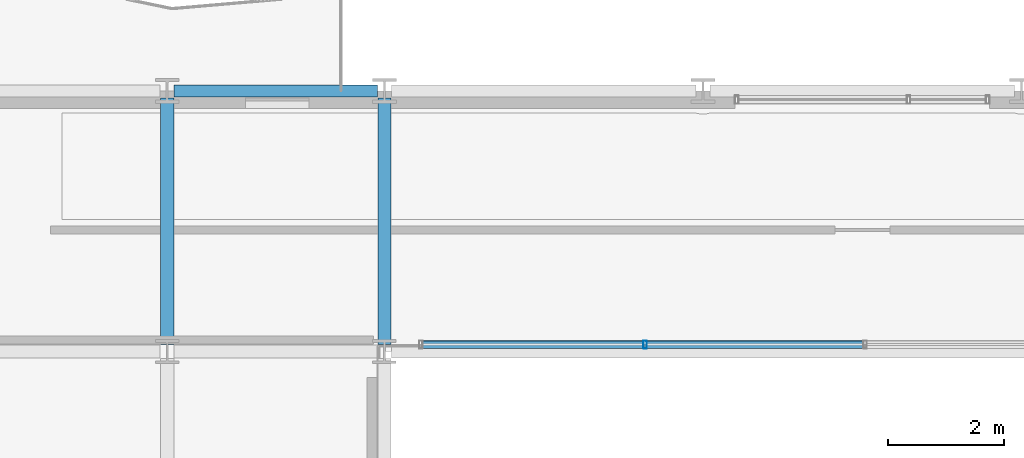
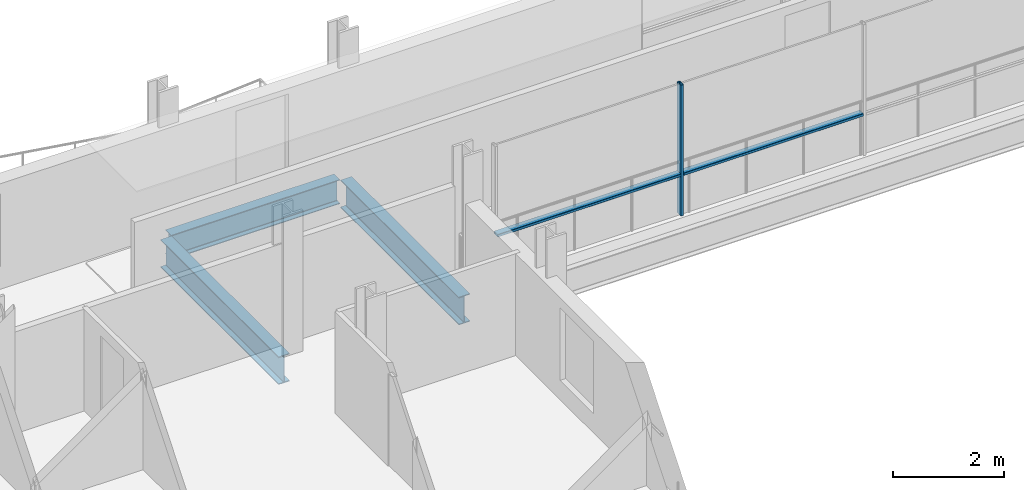
# One storey, part 9 of 39: 3 beams, 3 members, 1 element without a shape of its own.
"""IFC4 building model written with IfcOpenShell, lengths in metres."""

from ifc_helpers import new_model, si_unit, direction, frame, origin, origin_2d, place, context, subcontext, project, spatial, hollow_rectangle, i_section, extrude, material, layer, layer_set, material_profile, profile_set, type_object, element, aggregate, save


model = new_model("IFC4")

# Units and contexts
model_context = context("Model", 3, precision=1e-05, world=origin(), true_north=direction((0.0, 1.0)))
body_context = subcontext(model_context, "Body", "Model", "MODEL_VIEW")
ifc_project = project(units=[si_unit("LENGTHUNIT", "METRE"), si_unit("AREAUNIT", "SQUARE_METRE"), si_unit("VOLUMEUNIT", "CUBIC_METRE"), si_unit("PLANEANGLEUNIT", "RADIAN"), si_unit("MASSUNIT", "GRAM", prefix="KILO")], contexts=[model_context])

# Site, building, storey
site_placement = place(None, origin())
site = spatial("IfcSite", under=ifc_project, at=site_placement, CompositionType="ELEMENT")
building_placement = place(site_placement, origin())
building = spatial("IfcBuilding", under=site, at=building_placement, Name="Brevholm Reach", CompositionType="ELEMENT")
storey_placement = place(building_placement, frame((0.0, 0.0, 115.89990234375)))
storey = spatial("IfcBuildingStorey", under=building, at=storey_placement, Name="L34", CompositionType="ELEMENT", Elevation=115.89990234375)

# Beams
ifc_material_1 = material(Name="Structural Steel S355J2", Category="steel")
ifc_material_profile_1 = material_profile(ifc_material_1, i_section(OverallWidth=0.209228515625, OverallDepth=0.533203125, WebThickness=0.010009765625, FlangeThickness=0.015625, FilletRadius=0.0126953125, at=origin_2d()), Name="UKB 533x210x92")
ifc_profile_set_1 = profile_set([ifc_material_profile_1], Name="Structural Steel S355J2")
beam_type_1 = type_object("IfcBeamType", Name="BM-SP533", PredefinedType="SPANDREL", material=ifc_profile_set_1)
beam_placement = place(storey_placement, frame((18.1201171875, 31.0, -0.486572265625), z_axis=(1.0, 0.0, 0.0), x_axis=(0.0, 1.0, 0.0)))
element("IfcBeam", 1, at=beam_placement, inside=storey, type_object=beam_type_1, Name="L34 SP-02 Framing Beam", PredefinedType="SPANDREL", context=body_context, shape_type="SweptSolid", body=[
    extrude(i_section(OverallWidth=0.209228515625, OverallDepth=0.533203125, WebThickness=0.010009765625, FlangeThickness=0.015625, FilletRadius=0.0126953125, at=origin_2d()), origin(), (0.0, 0.0, 1.0), 3.509765625),
])
ifc_material_2 = material(Name="Structural Steel S355J2", Category="steel")
ifc_material_profile_2 = material_profile(ifc_material_2, i_section(OverallWidth=0.22900390625, OverallDepth=0.6123046875, WebThickness=0.011962890625, FlangeThickness=0.01953125, FilletRadius=0.0126953125, at=origin_2d()), Name="UKB 610x229x125")
ifc_profile_set_2 = profile_set([ifc_material_profile_2], Name="Structural Steel S355J2")
beam_type_2 = type_object("IfcBeamType", Name="BM-SP610", PredefinedType="SPANDREL", material=ifc_profile_set_2)
for number, where, z_axis, x_axis, name in (
    (2, (18.0, 26.6201171875, -0.526123046875), (0.0, 1.0, 0.0), (-1.0, 0.0, 0.0), "L34 SP-01 Framing Beam"),
    (3, (21.75, 26.6201171875, -0.526123046875), (0.0, 1.0, 0.0), (-1.0, 0.0, 0.0), "L34 SP-01 Framing Beam"),
):
    element("IfcBeam", number, at=place(storey_placement, frame(where, z_axis=z_axis, x_axis=x_axis)), inside=storey, type_object=beam_type_2, Name=name, PredefinedType="SPANDREL", context=body_context, shape_type="SweptSolid", body=[
        extrude(i_section(OverallWidth=0.22900390625, OverallDepth=0.6123046875, WebThickness=0.011962890625, FlangeThickness=0.01953125, FilletRadius=0.0126953125, at=origin_2d()), origin(), (0.0, 0.0, 1.0), 4.259765625),
    ])

# Curtain wall, members
ifc_material_3 = material(Name="Dark Anodised Aluminium 6063-T6 and Solar-Control Glass", Category="aluminium")
ifc_layer = layer(ifc_material_3, 0.139892578125)
ifc_layer_set = layer_set([ifc_layer], Name="Dark Anodised Aluminium 6063-T6 and Solar-Control Glass")
curtain_wall_type = type_object("IfcCurtainWallType", Name="CW-02", PredefinedType="NOTDEFINED", material=ifc_layer_set)
curtain_wall_placement = place(storey_placement, origin())
curtain_wall = element("IfcCurtainWall", 4, at=curtain_wall_placement, inside=storey, type_object=curtain_wall_type, Name="L34 Curtain Wall CW-02", PredefinedType="NOTDEFINED")
ifc_material_4 = material(Name="Dark Anodised Aluminium 6063-T6", Category="aluminium")
ifc_material_profile_3 = material_profile(ifc_material_4, hollow_rectangle(XDim=0.06005859375, YDim=0.139892578125, WallThickness=0.0048828125, InnerFilletRadius=0.0048828125, OuterFilletRadius=0.010009765625, at=origin_2d()), Name="RHS 140x60x5")
ifc_profile_set_3 = profile_set([ifc_material_profile_3], Name="Dark Anodised Aluminium 6063-T6")
member_type_1 = type_object("IfcMemberType", Name="CWM-140", PredefinedType="MULLION", material=ifc_profile_set_3)
member_1_placement = place(storey_placement, frame((26.25, 26.6201171875, 0.0), z_axis=(0.0, 0.0, 1.0), x_axis=(-1.0, 0.0, 0.0)))
member_1 = element("IfcMember", 5, at=member_1_placement, type_object=member_type_1, Name="CM-140 Mullion 4", PredefinedType="MULLION", context=body_context, shape_type="SweptSolid", body=[
    extrude(hollow_rectangle(XDim=0.06005859375, YDim=0.139892578125, WallThickness=0.0048828125, InnerFilletRadius=0.0048828125, OuterFilletRadius=0.010009765625, at=origin_2d()), origin(), (0.0, 0.0, 1.0), 2.880126953125),
])
ifc_material_5 = material(Name="Dark Anodised Aluminium 6063-T6", Category="aluminium")
ifc_material_profile_4 = material_profile(ifc_material_5, hollow_rectangle(XDim=0.06005859375, YDim=0.139892578125, WallThickness=0.0048828125, InnerFilletRadius=0.0048828125, OuterFilletRadius=0.010009765625, at=origin_2d()), Name="RHS 140x60x5")
ifc_profile_set_4 = profile_set([ifc_material_profile_4], Name="Dark Anodised Aluminium 6063-T6")
member_type_2 = type_object("IfcMemberType", Name="CWT-140", PredefinedType="NOTDEFINED", material=ifc_profile_set_4)
member_2_placement = place(storey_placement, frame((30.02001953125, 26.6201171875, 0.900146484375), z_axis=(-1.0, 0.0, 0.0), x_axis=(0.0, 0.0, 1.0)))
member_2 = element("IfcMember", 6, at=member_2_placement, type_object=member_type_2, Name="CT-140 Transom 3.1", ObjectType="TRANSOM", PredefinedType="USERDEFINED", context=body_context, shape_type="SweptSolid", body=[
    extrude(hollow_rectangle(XDim=0.06005859375, YDim=0.139892578125, WallThickness=0.0048828125, InnerFilletRadius=0.0048828125, OuterFilletRadius=0.010009765625, at=origin_2d()), origin(), (0.0, 0.0, 1.0), 3.739990234375),
])
member_3_placement = place(storey_placement, frame((26.219970703125, 26.6201171875, 0.900146484375), z_axis=(-1.0, 0.0, 0.0), x_axis=(0.0, 0.0, 1.0)))
member_3 = element("IfcMember", 7, at=member_3_placement, type_object=member_type_2, Name="CT-140 Transom 4.1", ObjectType="TRANSOM", PredefinedType="USERDEFINED", context=body_context, shape_type="SweptSolid", body=[
    extrude(hollow_rectangle(XDim=0.06005859375, YDim=0.139892578125, WallThickness=0.0048828125, InnerFilletRadius=0.0048828125, OuterFilletRadius=0.010009765625, at=origin_2d()), origin(), (0.0, 0.0, 1.0), 3.81005859375),
])
aggregate(curtain_wall, [member_1, member_2, member_3])

save(model, "model.ifc")
